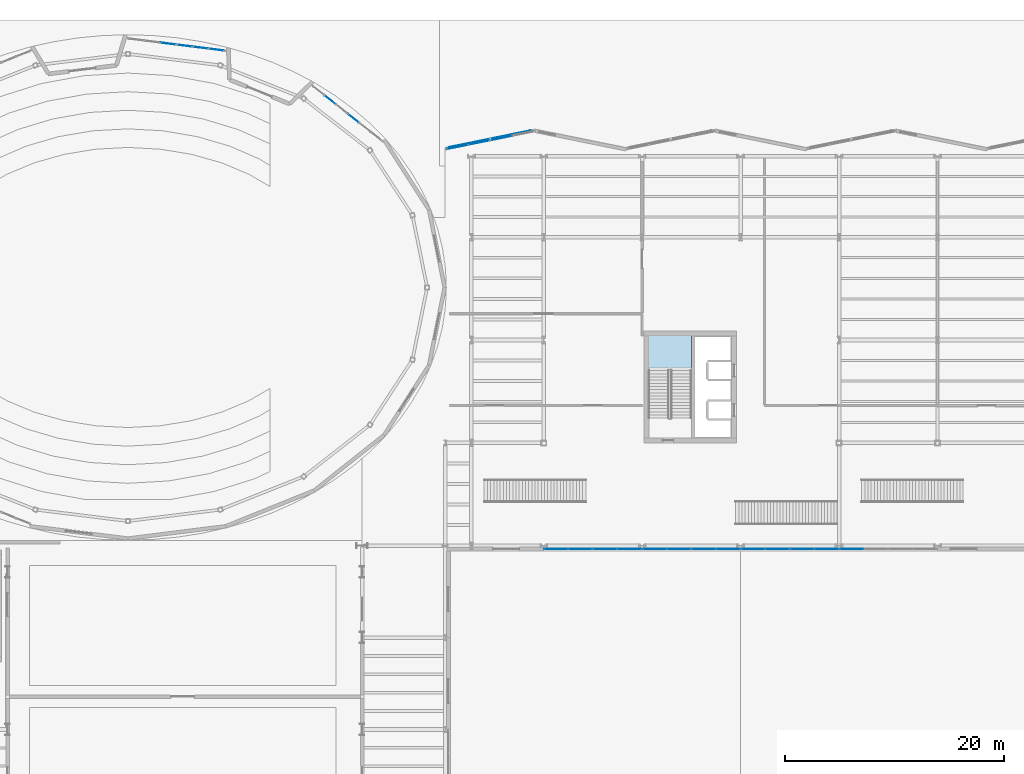
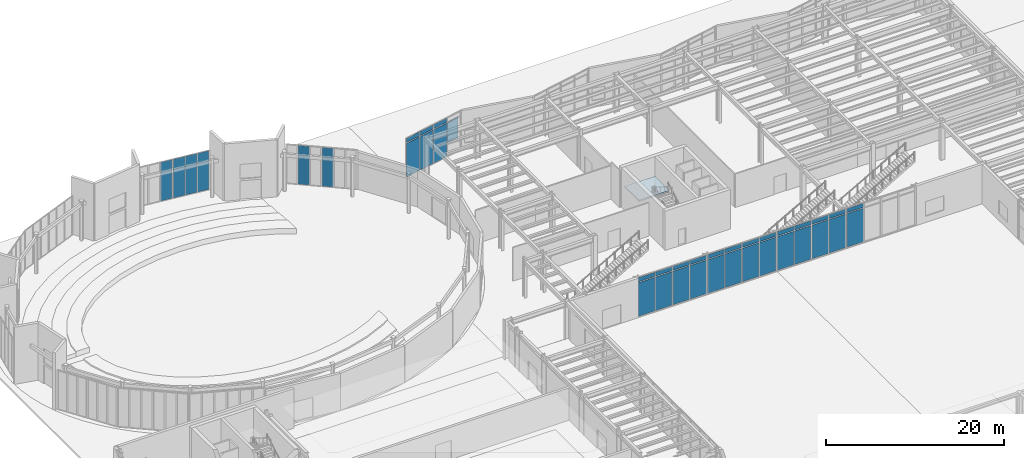
# One storey, part 67 of 94: 39 plates, 1 slab, 14 elements without a shape of their own.
"""IFC4 building model written with IfcOpenShell, lengths in metres."""

from ifc_helpers import new_model, si_unit, direction, frame, origin, origin_2d, place, context, subcontext, project, spatial, polyline, rectangle, outline, extrude, material, layer, layer_set, type_object, element, aggregate, save


model = new_model("IFC4")

# Units and contexts
model_context = context("Model", 3, precision=1e-05, world=origin(), true_north=direction((0.0, 1.0)))
body_context = subcontext(model_context, "Body", "Model", "MODEL_VIEW")
ifc_project = project(units=[si_unit("LENGTHUNIT", "METRE"), si_unit("AREAUNIT", "SQUARE_METRE"), si_unit("VOLUMEUNIT", "CUBIC_METRE"), si_unit("PLANEANGLEUNIT", "RADIAN"), si_unit("MASSUNIT", "GRAM", prefix="KILO")], contexts=[model_context])

# Site, building, storey
site_placement = place(None, origin())
site = spatial("IfcSite", under=ifc_project, at=site_placement, CompositionType="ELEMENT")
building_placement = place(site_placement, origin())
building = spatial("IfcBuilding", under=site, at=building_placement, Name="Sollismere Congress Hotel", CompositionType="ELEMENT")
storey_placement = place(building_placement, origin())
storey = spatial("IfcBuildingStorey", under=building, at=storey_placement, Name="L00", CompositionType="ELEMENT", Elevation=0.0)

# Curtain wall, plate
ifc_material_1 = material(Name="Anodized Bronze Curtain Wall & Low-E Triple Glazing", Category="glass")
ifc_layer_1 = layer(ifc_material_1, 0.199951171875, Name="Anodized Bronze Curtain Wall & Low-E Triple Glazing")
ifc_layer_set_1 = layer_set([ifc_layer_1], Name="Anodized Bronze Curtain Wall & Low-E Triple Glazing")
curtain_wall_type = type_object("IfcCurtainWallType", Name="CW-GLZ36", PredefinedType="USERDEFINED", material=ifc_layer_set_1)
curtain_wall_1_placement = place(storey_placement, origin())
curtain_wall_1 = element("IfcCurtainWall", 1, at=curtain_wall_1_placement, inside=storey, type_object=curtain_wall_type, Name="Unitised curtain wall CW-L00-001", ObjectType="UNITISED CURTAIN WALL", PredefinedType="USERDEFINED")
ifc_material_2 = material(Name="Blue-Tinted Solar-Control Low-E Vision Glass", Category="glass")
ifc_layer_2 = layer(ifc_material_2, 0.035888671875, Name="Blue-Tinted Solar-Control Low-E Vision Glass")
ifc_layer_set_2 = layer_set([ifc_layer_2], Name="Blue-Tinted Solar-Control Low-E Vision Glass")
plate_type_1 = type_object("IfcPlateType", Name="PL-CWGLZ", PredefinedType="CURTAIN_PANEL", material=ifc_layer_set_2)
plate_1_placement = place(storey_placement, frame((49.623779296875, 105.857421875, 0.052978515625), z_axis=(0.0, 0.0, 1.0), x_axis=(-0.784181063891, 0.620532077362, 0.0)))
plate_1 = element("IfcPlate", 2, at=plate_1_placement, type_object=plate_type_1, Name="CWL-CW-L00-001-VP03", PredefinedType="CURTAIN_PANEL", context=body_context, shape_type="SweptSolid", body=[
    extrude(rectangle(XDim=1.2626953125, YDim=0.035888671875, at=origin_2d()), origin(), (0.0, 0.0, 1.0), 5.31396484375),
])
aggregate(curtain_wall_1, [plate_1])

curtain_wall_2_placement = place(storey_placement, origin())
curtain_wall_2 = element("IfcCurtainWall", 3, at=curtain_wall_2_placement, inside=storey, type_object=curtain_wall_type, Name="Unitised curtain wall CW-L00-002", ObjectType="UNITISED CURTAIN WALL", PredefinedType="USERDEFINED")
plate_2_placement = place(storey_placement, frame((47.489013671875, 107.546875, 0.052978515625), z_axis=(0.0, 0.0, 1.0), x_axis=(-0.784181063891, 0.620532077362, 0.0)))
plate_2 = element("IfcPlate", 4, at=plate_2_placement, type_object=plate_type_1, Name="CWL-CW-L00-002-VP02", PredefinedType="CURTAIN_PANEL", context=body_context, shape_type="SweptSolid", body=[
    extrude(rectangle(XDim=1.30078125, YDim=0.035888671875, at=origin_2d()), origin(), (0.0, 0.0, 1.0), 5.31396484375),
])
aggregate(curtain_wall_2, [plate_2])

# Curtain wall, plates
curtain_wall_3_placement = place(storey_placement, origin())
curtain_wall_3 = element("IfcCurtainWall", 5, at=curtain_wall_3_placement, inside=storey, type_object=curtain_wall_type, Name="Unitised curtain wall CW-L00-011", ObjectType="UNITISED CURTAIN WALL", PredefinedType="USERDEFINED")
plate_3_placement = place(storey_placement, frame((37.125, 112.131591796875, 0.052978515625), z_axis=(0.0, 0.0, 1.0), x_axis=(-0.992236726166, 0.124363496441, 0.0)))
plate_3 = element("IfcPlate", 6, at=plate_3_placement, type_object=plate_type_1, Name="CWL-CW-L00-011-VP01", PredefinedType="CURTAIN_PANEL", context=body_context, shape_type="SweptSolid", body=[
    extrude(rectangle(XDim=1.4033203125, YDim=0.035888671875, at=origin_2d()), origin(), (0.0, 0.0, 1.0), 5.31396484375),
])
plate_4_placement = place(storey_placement, frame((35.6630859375, 112.31494140625, 0.052978515625), z_axis=(0.0, 0.0, 1.0), x_axis=(-0.992236726166, 0.124363496441, 0.0)))
plate_4 = element("IfcPlate", 7, at=plate_4_placement, type_object=plate_type_1, Name="CWL-CW-L00-011-VP02", PredefinedType="CURTAIN_PANEL", context=body_context, shape_type="SweptSolid", body=[
    extrude(rectangle(XDim=1.44140625, YDim=0.035888671875, at=origin_2d()), origin(), (0.0, 0.0, 1.0), 5.31396484375),
])
plate_5_placement = place(storey_placement, frame((34.201416015625, 112.498046875, 0.052978515625), z_axis=(0.0, 0.0, 1.0), x_axis=(-0.992236726166, 0.124363496441, 0.0)))
plate_5 = element("IfcPlate", 8, at=plate_5_placement, type_object=plate_type_1, Name="CWL-CW-L00-011-VP03", PredefinedType="CURTAIN_PANEL", context=body_context, shape_type="SweptSolid", body=[
    extrude(rectangle(XDim=1.4033203125, YDim=0.035888671875, at=origin_2d()), origin(), (0.0, 0.0, 1.0), 5.31396484375),
])
aggregate(curtain_wall_3, [plate_3, plate_4, plate_5])

# Curtain wall, plate
curtain_wall_4_placement = place(storey_placement, origin())
curtain_wall_4 = element("IfcCurtainWall", 9, at=curtain_wall_4_placement, inside=storey, type_object=curtain_wall_type, Name="Unitised curtain wall CW-L00-012", ObjectType="UNITISED CURTAIN WALL", PredefinedType="USERDEFINED")
plate_6_placement = place(storey_placement, frame((32.682861328125, 112.6884765625, 0.052978515625), z_axis=(0.0, 0.0, 1.0), x_axis=(-0.992236726166, 0.124363496441, 0.0)))
plate_6 = element("IfcPlate", 10, at=plate_6_placement, type_object=plate_type_1, Name="CWL-CW-L00-012-VP01", PredefinedType="CURTAIN_PANEL", context=body_context, shape_type="SweptSolid", body=[
    extrude(rectangle(XDim=1.4033203125, YDim=0.035888671875, at=origin_2d()), origin(), (0.0, 0.0, 1.0), 5.31396484375),
])
aggregate(curtain_wall_4, [plate_6])

# Curtain wall, plates
curtain_wall_5_placement = place(storey_placement, origin())
curtain_wall_5 = element("IfcCurtainWall", 11, at=curtain_wall_5_placement, inside=storey, type_object=curtain_wall_type, Name="Unitised curtain wall CW-L00-065", ObjectType="UNITISED CURTAIN WALL", PredefinedType="USERDEFINED")
plate_7_placement = place(storey_placement, frame((59.13818359375, 103.25146484375, 0.052978515625), z_axis=(0.0, 0.0, 1.0), x_axis=(0.979924704621, 0.199367934417, 0.0)))
plate_7 = element("IfcPlate", 12, at=plate_7_placement, type_object=plate_type_1, Name="CWL-CW-L00-065-VP01", PredefinedType="CURTAIN_PANEL", context=body_context, shape_type="SweptSolid", body=[
    extrude(rectangle(XDim=1.955810546875, YDim=0.035888671875, at=origin_2d()), origin(), (0.0, 0.0, 1.0), 4.60888671875),
])
plate_8_placement = place(storey_placement, frame((61.1044921875, 103.651611328125, 0.052978515625), z_axis=(0.0, 0.0, 1.0), x_axis=(0.979924704621, 0.199367934417, 0.0)))
plate_8 = element("IfcPlate", 13, at=plate_8_placement, type_object=plate_type_1, Name="CWL-CW-L00-065-VP02", PredefinedType="CURTAIN_PANEL", context=body_context, shape_type="SweptSolid", body=[
    extrude(rectangle(XDim=1.955810546875, YDim=0.035888671875, at=origin_2d()), origin(), (0.0, 0.0, 1.0), 4.60888671875),
])

# Curtain wall, plate
curtain_wall_6_placement = place(storey_placement, origin())
curtain_wall_6 = element("IfcCurtainWall", 14, at=curtain_wall_6_placement, inside=storey, type_object=curtain_wall_type, Name="Unitised curtain wall CW-L00-066", ObjectType="UNITISED CURTAIN WALL", PredefinedType="USERDEFINED")
plate_9_placement = place(storey_placement, frame((63.1455078125, 104.06689453125, 0.052978515625), z_axis=(0.0, 0.0, 1.0), x_axis=(0.979924704621, 0.199367934417, 0.0)))
plate_9 = element("IfcPlate", 15, at=plate_9_placement, type_object=plate_type_1, Name="CWL-CW-L00-066-VP01", PredefinedType="CURTAIN_PANEL", context=body_context, shape_type="SweptSolid", body=[
    extrude(rectangle(XDim=1.955810546875, YDim=0.035888671875, at=origin_2d()), origin(), (0.0, 0.0, 1.0), 4.60888671875),
])

# Curtain wall, plates
curtain_wall_7_placement = place(storey_placement, origin())
curtain_wall_7 = element("IfcCurtainWall", 16, at=curtain_wall_7_placement, inside=storey, type_object=curtain_wall_type, Name="Unitised curtain wall CW-L00-073", ObjectType="UNITISED CURTAIN WALL", PredefinedType="USERDEFINED")
plate_10_placement = place(storey_placement, frame((68.151611328125, 66.489990234375, 0.052978515625), z_axis=(0.0, 0.0, 1.0), x_axis=(1.0, 0.0, 0.0)))
plate_10 = element("IfcPlate", 17, at=plate_10_placement, type_object=plate_type_1, Name="CWL-CW-L00-073-VP01", PredefinedType="CURTAIN_PANEL", context=body_context, shape_type="SweptSolid", body=[
    extrude(rectangle(XDim=2.156005859375, YDim=0.035888671875, at=origin_2d()), origin(), (0.0, 0.0, 1.0), 4.60888671875),
])
plate_11_placement = place(storey_placement, frame((70.3583984375, 66.489990234375, 0.052978515625), z_axis=(0.0, 0.0, 1.0), x_axis=(1.0, 0.0, 0.0)))
plate_11 = element("IfcPlate", 18, at=plate_11_placement, type_object=plate_type_1, Name="CWL-CW-L00-073-VP02", PredefinedType="CURTAIN_PANEL", context=body_context, shape_type="SweptSolid", body=[
    extrude(rectangle(XDim=2.156005859375, YDim=0.035888671875, at=origin_2d()), origin(), (0.0, 0.0, 1.0), 4.60888671875),
])

curtain_wall_8_placement = place(storey_placement, origin())
curtain_wall_8 = element("IfcCurtainWall", 19, at=curtain_wall_8_placement, inside=storey, type_object=curtain_wall_type, Name="Unitised curtain wall CW-L00-074", ObjectType="UNITISED CURTAIN WALL", PredefinedType="USERDEFINED")
plate_12_placement = place(storey_placement, frame((72.6416015625, 66.489990234375, 0.052978515625), z_axis=(0.0, 0.0, 1.0), x_axis=(1.0, 0.0, 0.0)))
plate_12 = element("IfcPlate", 20, at=plate_12_placement, type_object=plate_type_1, Name="CWL-CW-L00-074-VP01", PredefinedType="CURTAIN_PANEL", context=body_context, shape_type="SweptSolid", body=[
    extrude(rectangle(XDim=2.156005859375, YDim=0.035888671875, at=origin_2d()), origin(), (0.0, 0.0, 1.0), 4.60888671875),
])
plate_13_placement = place(storey_placement, frame((74.848388671875, 66.489990234375, 0.052978515625), z_axis=(0.0, 0.0, 1.0), x_axis=(1.0, 0.0, 0.0)))
plate_13 = element("IfcPlate", 21, at=plate_13_placement, type_object=plate_type_1, Name="CWL-CW-L00-074-VP02", PredefinedType="CURTAIN_PANEL", context=body_context, shape_type="SweptSolid", body=[
    extrude(rectangle(XDim=2.156005859375, YDim=0.035888671875, at=origin_2d()), origin(), (0.0, 0.0, 1.0), 4.60888671875),
])

curtain_wall_9_placement = place(storey_placement, origin())
curtain_wall_9 = element("IfcCurtainWall", 22, at=curtain_wall_9_placement, inside=storey, type_object=curtain_wall_type, Name="Unitised curtain wall CW-L00-075", ObjectType="UNITISED CURTAIN WALL", PredefinedType="USERDEFINED")
plate_14_placement = place(storey_placement, frame((77.151611328125, 66.489990234375, 0.052978515625), z_axis=(0.0, 0.0, 1.0), x_axis=(1.0, 0.0, 0.0)))
plate_14 = element("IfcPlate", 23, at=plate_14_placement, type_object=plate_type_1, Name="CWL-CW-L00-075-VP01", PredefinedType="CURTAIN_PANEL", context=body_context, shape_type="SweptSolid", body=[
    extrude(rectangle(XDim=2.156005859375, YDim=0.035888671875, at=origin_2d()), origin(), (0.0, 0.0, 1.0), 4.60888671875),
])
plate_15_placement = place(storey_placement, frame((79.3583984375, 66.489990234375, 0.052978515625), z_axis=(0.0, 0.0, 1.0), x_axis=(1.0, 0.0, 0.0)))
plate_15 = element("IfcPlate", 24, at=plate_15_placement, type_object=plate_type_1, Name="CWL-CW-L00-075-VP02", PredefinedType="CURTAIN_PANEL", context=body_context, shape_type="SweptSolid", body=[
    extrude(rectangle(XDim=2.156005859375, YDim=0.035888671875, at=origin_2d()), origin(), (0.0, 0.0, 1.0), 4.60888671875),
])

curtain_wall_10_placement = place(storey_placement, origin())
curtain_wall_10 = element("IfcCurtainWall", 25, at=curtain_wall_10_placement, inside=storey, type_object=curtain_wall_type, Name="Unitised curtain wall CW-L00-076", ObjectType="UNITISED CURTAIN WALL", PredefinedType="USERDEFINED")
plate_16_placement = place(storey_placement, frame((81.6416015625, 66.489990234375, 0.052978515625), z_axis=(0.0, 0.0, 1.0), x_axis=(1.0, 0.0, 0.0)))
plate_16 = element("IfcPlate", 26, at=plate_16_placement, type_object=plate_type_1, Name="CWL-CW-L00-076-VP01", PredefinedType="CURTAIN_PANEL", context=body_context, shape_type="SweptSolid", body=[
    extrude(rectangle(XDim=2.156005859375, YDim=0.035888671875, at=origin_2d()), origin(), (0.0, 0.0, 1.0), 4.60888671875),
])
plate_17_placement = place(storey_placement, frame((83.848388671875, 66.489990234375, 0.052978515625), z_axis=(0.0, 0.0, 1.0), x_axis=(1.0, 0.0, 0.0)))
plate_17 = element("IfcPlate", 27, at=plate_17_placement, type_object=plate_type_1, Name="CWL-CW-L00-076-VP02", PredefinedType="CURTAIN_PANEL", context=body_context, shape_type="SweptSolid", body=[
    extrude(rectangle(XDim=2.156005859375, YDim=0.035888671875, at=origin_2d()), origin(), (0.0, 0.0, 1.0), 4.60888671875),
])

curtain_wall_11_placement = place(storey_placement, origin())
curtain_wall_11 = element("IfcCurtainWall", 28, at=curtain_wall_11_placement, inside=storey, type_object=curtain_wall_type, Name="Unitised curtain wall CW-L00-077", ObjectType="UNITISED CURTAIN WALL", PredefinedType="USERDEFINED")
plate_18_placement = place(storey_placement, frame((86.151611328125, 66.489990234375, 0.052978515625), z_axis=(0.0, 0.0, 1.0), x_axis=(1.0, 0.0, 0.0)))
plate_18 = element("IfcPlate", 29, at=plate_18_placement, type_object=plate_type_1, Name="CWL-CW-L00-077-VP01", PredefinedType="CURTAIN_PANEL", context=body_context, shape_type="SweptSolid", body=[
    extrude(rectangle(XDim=2.156005859375, YDim=0.035888671875, at=origin_2d()), origin(), (0.0, 0.0, 1.0), 4.60888671875),
])
plate_19_placement = place(storey_placement, frame((88.3583984375, 66.489990234375, 0.052978515625), z_axis=(0.0, 0.0, 1.0), x_axis=(1.0, 0.0, 0.0)))
plate_19 = element("IfcPlate", 30, at=plate_19_placement, type_object=plate_type_1, Name="CWL-CW-L00-077-VP02", PredefinedType="CURTAIN_PANEL", context=body_context, shape_type="SweptSolid", body=[
    extrude(rectangle(XDim=2.156005859375, YDim=0.035888671875, at=origin_2d()), origin(), (0.0, 0.0, 1.0), 4.60888671875),
])

curtain_wall_12_placement = place(storey_placement, origin())
curtain_wall_12 = element("IfcCurtainWall", 31, at=curtain_wall_12_placement, inside=storey, type_object=curtain_wall_type, Name="Unitised curtain wall CW-L00-078", ObjectType="UNITISED CURTAIN WALL", PredefinedType="USERDEFINED")
plate_20_placement = place(storey_placement, frame((90.6416015625, 66.489990234375, 0.052978515625), z_axis=(0.0, 0.0, 1.0), x_axis=(1.0, 0.0, 0.0)))
plate_20 = element("IfcPlate", 32, at=plate_20_placement, type_object=plate_type_1, Name="CWL-CW-L00-078-VP01", PredefinedType="CURTAIN_PANEL", context=body_context, shape_type="SweptSolid", body=[
    extrude(rectangle(XDim=2.156005859375, YDim=0.035888671875, at=origin_2d()), origin(), (0.0, 0.0, 1.0), 4.60888671875),
])
plate_21_placement = place(storey_placement, frame((92.848388671875, 66.489990234375, 0.052978515625), z_axis=(0.0, 0.0, 1.0), x_axis=(1.0, 0.0, 0.0)))
plate_21 = element("IfcPlate", 33, at=plate_21_placement, type_object=plate_type_1, Name="CWL-CW-L00-078-VP02", PredefinedType="CURTAIN_PANEL", context=body_context, shape_type="SweptSolid", body=[
    extrude(rectangle(XDim=2.156005859375, YDim=0.035888671875, at=origin_2d()), origin(), (0.0, 0.0, 1.0), 4.60888671875),
])

# Curtain wall, plate
curtain_wall_13_placement = place(storey_placement, origin())
curtain_wall_13 = element("IfcCurtainWall", 34, at=curtain_wall_13_placement, inside=storey, type_object=curtain_wall_type, Name="Unitised curtain wall CW-L00-079", ObjectType="UNITISED CURTAIN WALL", PredefinedType="USERDEFINED")
plate_22_placement = place(storey_placement, frame((95.151611328125, 66.489990234375, 0.052978515625), z_axis=(0.0, 0.0, 1.0), x_axis=(1.0, 0.0, 0.0)))
plate_22 = element("IfcPlate", 35, at=plate_22_placement, type_object=plate_type_1, Name="CWL-CW-L00-079-VP01", PredefinedType="CURTAIN_PANEL", context=body_context, shape_type="SweptSolid", body=[
    extrude(rectangle(XDim=2.156005859375, YDim=0.035888671875, at=origin_2d()), origin(), (0.0, 0.0, 1.0), 4.60888671875),
])

# Plate
ifc_material_3 = material(Name="Anodized Bronze Insulated Spandrel Panel")
ifc_layer_3 = layer(ifc_material_3, 0.044921875, Name="Anodized Bronze Insulated Spandrel Panel")
ifc_layer_set_3 = layer_set([ifc_layer_3], Name="Anodized Bronze Insulated Spandrel Panel")
plate_type_2 = type_object("IfcPlateType", Name="PL-CWSPN", PredefinedType="SHEET", material=ifc_layer_set_3)
plate_23_placement = place(storey_placement, frame((59.13818359375, 103.25146484375, 4.77783203125), z_axis=(0.0, 0.0, 1.0), x_axis=(0.979924704621, 0.199367934417, 0.0)))
plate_23 = element("IfcPlate", 36, at=plate_23_placement, type_object=plate_type_2, Name="CWL-CW-L00-065-SP01", PredefinedType="SHEET", context=body_context, shape_type="SweptSolid", body=[
    extrude(rectangle(XDim=1.955810546875, YDim=0.044921875, at=origin_2d()), origin(), (0.0, 0.0, 1.0), 0.569091796875),
])

plate_24_placement = place(storey_placement, frame((61.1044921875, 103.651611328125, 4.77783203125), z_axis=(0.0, 0.0, 1.0), x_axis=(0.979924704621, 0.199367934417, 0.0)))
plate_24 = element("IfcPlate", 37, at=plate_24_placement, type_object=plate_type_2, Name="CWL-CW-L00-065-SP02", PredefinedType="SHEET", context=body_context, shape_type="SweptSolid", body=[
    extrude(rectangle(XDim=1.955810546875, YDim=0.044921875, at=origin_2d()), origin(), (0.0, 0.0, 1.0), 0.569091796875),
])

aggregate(curtain_wall_5, [plate_7, plate_23, plate_8, plate_24])

plate_25_placement = place(storey_placement, frame((63.1455078125, 104.06689453125, 4.77783203125), z_axis=(0.0, 0.0, 1.0), x_axis=(0.979924704621, 0.199367934417, 0.0)))
plate_25 = element("IfcPlate", 38, at=plate_25_placement, type_object=plate_type_2, Name="CWL-CW-L00-066-SP01", PredefinedType="SHEET", context=body_context, shape_type="SweptSolid", body=[
    extrude(rectangle(XDim=1.955810546875, YDim=0.044921875, at=origin_2d()), origin(), (0.0, 0.0, 1.0), 0.569091796875),
])

aggregate(curtain_wall_6, [plate_9, plate_25])

plate_26_placement = place(storey_placement, frame((68.151611328125, 66.489990234375, 4.77783203125), z_axis=(0.0, 0.0, 1.0), x_axis=(1.0, 0.0, 0.0)))
plate_26 = element("IfcPlate", 39, at=plate_26_placement, type_object=plate_type_2, Name="CWL-CW-L00-073-SP01", PredefinedType="SHEET", context=body_context, shape_type="SweptSolid", body=[
    extrude(rectangle(XDim=2.156005859375, YDim=0.044921875, at=origin_2d()), origin(), (0.0, 0.0, 1.0), 0.569091796875),
])

plate_27_placement = place(storey_placement, frame((70.3583984375, 66.489990234375, 4.77783203125), z_axis=(0.0, 0.0, 1.0), x_axis=(1.0, 0.0, 0.0)))
plate_27 = element("IfcPlate", 40, at=plate_27_placement, type_object=plate_type_2, Name="CWL-CW-L00-073-SP02", PredefinedType="SHEET", context=body_context, shape_type="SweptSolid", body=[
    extrude(rectangle(XDim=2.156005859375, YDim=0.044921875, at=origin_2d()), origin(), (0.0, 0.0, 1.0), 0.569091796875),
])

aggregate(curtain_wall_7, [plate_10, plate_26, plate_11, plate_27])

plate_28_placement = place(storey_placement, frame((72.6416015625, 66.489990234375, 4.77783203125), z_axis=(0.0, 0.0, 1.0), x_axis=(1.0, 0.0, 0.0)))
plate_28 = element("IfcPlate", 41, at=plate_28_placement, type_object=plate_type_2, Name="CWL-CW-L00-074-SP01", PredefinedType="SHEET", context=body_context, shape_type="SweptSolid", body=[
    extrude(rectangle(XDim=2.156005859375, YDim=0.044921875, at=origin_2d()), origin(), (0.0, 0.0, 1.0), 0.569091796875),
])

plate_29_placement = place(storey_placement, frame((74.848388671875, 66.489990234375, 4.77783203125), z_axis=(0.0, 0.0, 1.0), x_axis=(1.0, 0.0, 0.0)))
plate_29 = element("IfcPlate", 42, at=plate_29_placement, type_object=plate_type_2, Name="CWL-CW-L00-074-SP02", PredefinedType="SHEET", context=body_context, shape_type="SweptSolid", body=[
    extrude(rectangle(XDim=2.156005859375, YDim=0.044921875, at=origin_2d()), origin(), (0.0, 0.0, 1.0), 0.569091796875),
])

aggregate(curtain_wall_8, [plate_12, plate_28, plate_13, plate_29])

plate_30_placement = place(storey_placement, frame((77.151611328125, 66.489990234375, 4.77783203125), z_axis=(0.0, 0.0, 1.0), x_axis=(1.0, 0.0, 0.0)))
plate_30 = element("IfcPlate", 43, at=plate_30_placement, type_object=plate_type_2, Name="CWL-CW-L00-075-SP01", PredefinedType="SHEET", context=body_context, shape_type="SweptSolid", body=[
    extrude(rectangle(XDim=2.156005859375, YDim=0.044921875, at=origin_2d()), origin(), (0.0, 0.0, 1.0), 0.569091796875),
])

plate_31_placement = place(storey_placement, frame((79.3583984375, 66.489990234375, 4.77783203125), z_axis=(0.0, 0.0, 1.0), x_axis=(1.0, 0.0, 0.0)))
plate_31 = element("IfcPlate", 44, at=plate_31_placement, type_object=plate_type_2, Name="CWL-CW-L00-075-SP02", PredefinedType="SHEET", context=body_context, shape_type="SweptSolid", body=[
    extrude(rectangle(XDim=2.156005859375, YDim=0.044921875, at=origin_2d()), origin(), (0.0, 0.0, 1.0), 0.569091796875),
])

aggregate(curtain_wall_9, [plate_14, plate_30, plate_15, plate_31])

plate_32_placement = place(storey_placement, frame((81.6416015625, 66.489990234375, 4.77783203125), z_axis=(0.0, 0.0, 1.0), x_axis=(1.0, 0.0, 0.0)))
plate_32 = element("IfcPlate", 45, at=plate_32_placement, type_object=plate_type_2, Name="CWL-CW-L00-076-SP01", PredefinedType="SHEET", context=body_context, shape_type="SweptSolid", body=[
    extrude(rectangle(XDim=2.156005859375, YDim=0.044921875, at=origin_2d()), origin(), (0.0, 0.0, 1.0), 0.569091796875),
])

plate_33_placement = place(storey_placement, frame((83.848388671875, 66.489990234375, 4.77783203125), z_axis=(0.0, 0.0, 1.0), x_axis=(1.0, 0.0, 0.0)))
plate_33 = element("IfcPlate", 46, at=plate_33_placement, type_object=plate_type_2, Name="CWL-CW-L00-076-SP02", PredefinedType="SHEET", context=body_context, shape_type="SweptSolid", body=[
    extrude(rectangle(XDim=2.156005859375, YDim=0.044921875, at=origin_2d()), origin(), (0.0, 0.0, 1.0), 0.569091796875),
])

aggregate(curtain_wall_10, [plate_16, plate_32, plate_17, plate_33])

plate_34_placement = place(storey_placement, frame((86.151611328125, 66.489990234375, 4.77783203125), z_axis=(0.0, 0.0, 1.0), x_axis=(1.0, 0.0, 0.0)))
plate_34 = element("IfcPlate", 47, at=plate_34_placement, type_object=plate_type_2, Name="CWL-CW-L00-077-SP01", PredefinedType="SHEET", context=body_context, shape_type="SweptSolid", body=[
    extrude(rectangle(XDim=2.156005859375, YDim=0.044921875, at=origin_2d()), origin(), (0.0, 0.0, 1.0), 0.569091796875),
])

plate_35_placement = place(storey_placement, frame((88.3583984375, 66.489990234375, 4.77783203125), z_axis=(0.0, 0.0, 1.0), x_axis=(1.0, 0.0, 0.0)))
plate_35 = element("IfcPlate", 48, at=plate_35_placement, type_object=plate_type_2, Name="CWL-CW-L00-077-SP02", PredefinedType="SHEET", context=body_context, shape_type="SweptSolid", body=[
    extrude(rectangle(XDim=2.156005859375, YDim=0.044921875, at=origin_2d()), origin(), (0.0, 0.0, 1.0), 0.569091796875),
])

aggregate(curtain_wall_11, [plate_18, plate_34, plate_19, plate_35])

plate_36_placement = place(storey_placement, frame((90.6416015625, 66.489990234375, 4.77783203125), z_axis=(0.0, 0.0, 1.0), x_axis=(1.0, 0.0, 0.0)))
plate_36 = element("IfcPlate", 49, at=plate_36_placement, type_object=plate_type_2, Name="CWL-CW-L00-078-SP01", PredefinedType="SHEET", context=body_context, shape_type="SweptSolid", body=[
    extrude(rectangle(XDim=2.156005859375, YDim=0.044921875, at=origin_2d()), origin(), (0.0, 0.0, 1.0), 0.569091796875),
])

plate_37_placement = place(storey_placement, frame((92.848388671875, 66.489990234375, 4.77783203125), z_axis=(0.0, 0.0, 1.0), x_axis=(1.0, 0.0, 0.0)))
plate_37 = element("IfcPlate", 50, at=plate_37_placement, type_object=plate_type_2, Name="CWL-CW-L00-078-SP02", PredefinedType="SHEET", context=body_context, shape_type="SweptSolid", body=[
    extrude(rectangle(XDim=2.156005859375, YDim=0.044921875, at=origin_2d()), origin(), (0.0, 0.0, 1.0), 0.569091796875),
])

aggregate(curtain_wall_12, [plate_20, plate_36, plate_21, plate_37])

plate_38_placement = place(storey_placement, frame((95.151611328125, 66.489990234375, 4.77783203125), z_axis=(0.0, 0.0, 1.0), x_axis=(1.0, 0.0, 0.0)))
plate_38 = element("IfcPlate", 51, at=plate_38_placement, type_object=plate_type_2, Name="CWL-CW-L00-079-SP01", PredefinedType="SHEET", context=body_context, shape_type="SweptSolid", body=[
    extrude(rectangle(XDim=2.156005859375, YDim=0.044921875, at=origin_2d()), origin(), (0.0, 0.0, 1.0), 0.569091796875),
])

aggregate(curtain_wall_13, [plate_22, plate_38])

ifc_material_4 = material(Name="Perforated Architectural Bronze Sebeke Screen")
ifc_layer_4 = layer(ifc_material_4, 0.0380859375, Name="Perforated Architectural Bronze Sebeke Screen")
ifc_layer_set_4 = layer_set([ifc_layer_4], Name="Perforated Architectural Bronze Sebeke Screen")
plate_type_3 = type_object("IfcPlateType", Name="PL-SBK32", PredefinedType="USERDEFINED", material=ifc_layer_set_4)
plate_39_placement = place(storey_placement, frame((62.10107421875, 103.976806640625, 1.79052734375), z_axis=(0.0, 0.0, 1.0), x_axis=(0.979924704621, 0.199367934417, 0.0)))
element("IfcPlate", 52, at=plate_39_placement, inside=storey, type_object=plate_type_3, Name="PLT-SBK-002", ObjectType="PERFORATED SCREEN", PredefinedType="USERDEFINED", context=body_context, shape_type="SweptSolid", body=[
    extrude(rectangle(XDim=7.618896484375, YDim=0.0380859375, at=origin_2d()), origin(), (0.0, 0.0, 1.0), 2.761962890625),
])

# Stair, slab
ifc_material_5 = material(Name="Concrete C40/50", Category="concrete")
stair_type = type_object("IfcStairType", Name="STR-DL-540", PredefinedType="HALF_TURN_STAIR", material=ifc_material_5)
stair_placement = place(storey_placement, origin())
stair = element("IfcStair", 53, at=stair_placement, inside=storey, type_object=stair_type, Name="Protected exit stair ST-04-L00", PredefinedType="HALF_TURN_STAIR")
ifc_layer_5 = layer(ifc_material_5, 0.199951171875, Name="Concrete C40/50")
ifc_layer_set_5 = layer_set([ifc_layer_5], Name="Concrete C40/50")
slab_type = type_object("IfcSlabType", Name="SL-LND200", PredefinedType="LANDING", material=ifc_layer_set_5)
slab_placement = place(storey_placement, frame((0.0, 0.0, 2.5)))
slab = element("IfcSlab", 54, at=slab_placement, type_object=slab_type, Name="Exit stair half-landing ST-04-L00-L1", PredefinedType="LANDING", context=body_context, shape_type="SweptSolid", body=[
    extrude(outline(polyline([(80.5, 82.800048828125), (80.5, 86.0), (76.60009765625, 86.0), (76.60009765625, 82.800048828125), (80.5, 82.800048828125)])), origin(), (0.0, 0.0, 1.0), 0.199951171875),
])
aggregate(stair, [slab])

save(model, "model.ifc")
